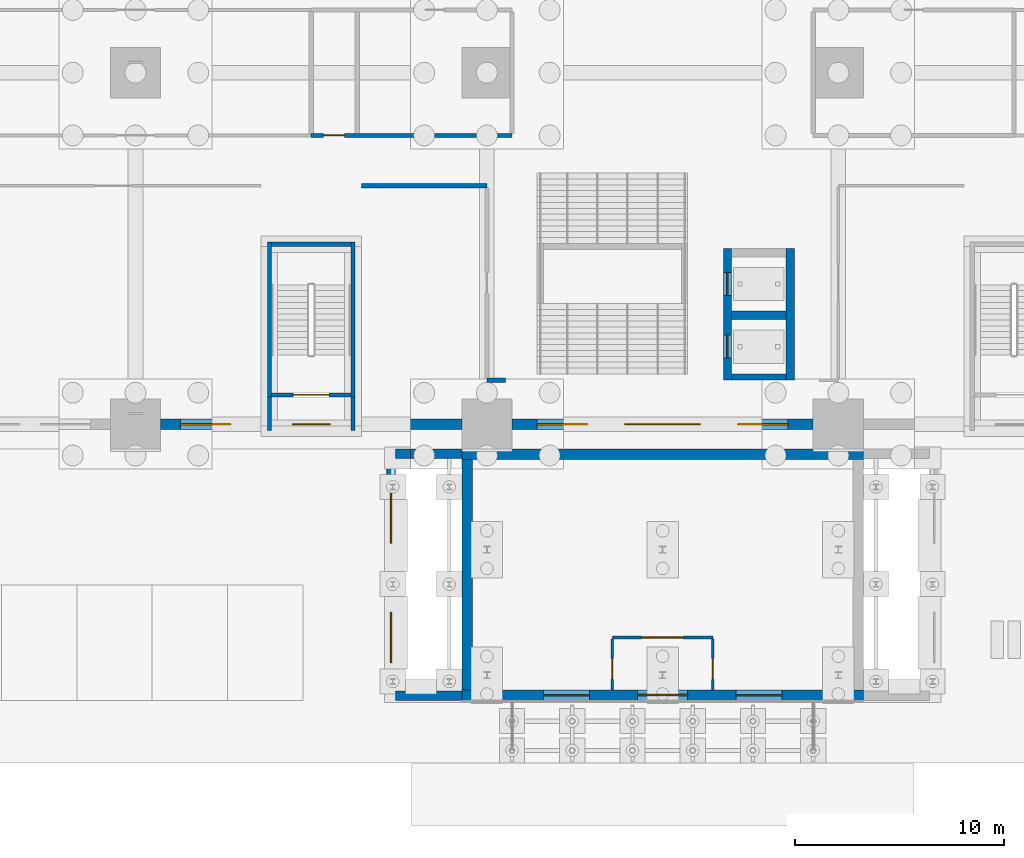
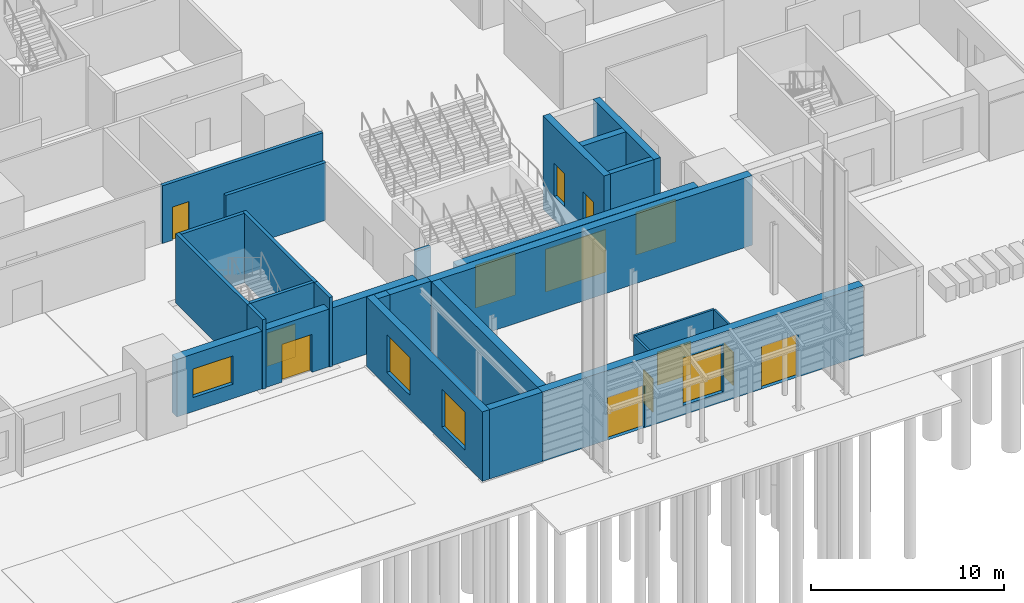
# One storey, part 81 of 139: 25 walls, 11 doors, 6 windows, 17 openings.
"""IFC4 building model written with IfcOpenShell, lengths in metres."""

from ifc_helpers import new_model, si_unit, direction, frame, frame_2d, origin, place, context, subcontext, project, spatial, rectangle, extrude, material, layer, layer_set, type_object, element, fill, save


model = new_model("IFC4")

# Units and contexts
model_context = context("Model", 3, precision=1e-05, world=origin(), true_north=direction((0.0, 1.0)))
body_context = subcontext(model_context, "Body", "Model", "MODEL_VIEW")
ifc_project = project(units=[si_unit("LENGTHUNIT", "METRE"), si_unit("AREAUNIT", "SQUARE_METRE"), si_unit("VOLUMEUNIT", "CUBIC_METRE"), si_unit("PLANEANGLEUNIT", "RADIAN"), si_unit("MASSUNIT", "GRAM", prefix="KILO")], contexts=[model_context])

# Site, building, storey
site_placement = place(None, origin())
site = spatial("IfcSite", under=ifc_project, at=site_placement, CompositionType="ELEMENT")
building_placement = place(site_placement, origin())
building = spatial("IfcBuilding", under=site, at=building_placement, Name="Verrick Yard Athletic Hall", CompositionType="ELEMENT")
storey_placement = place(building_placement, origin())
storey = spatial("IfcBuildingStorey", under=building, at=storey_placement, Name="L00", CompositionType="ELEMENT", Elevation=0.0)

# Wall, openings, doors
ifc_material_1 = material(Name="Concrete 35 MPa", Category="concrete")
ifc_layer_1 = layer(ifc_material_1, 0.39990234375)
ifc_layer_set_1 = layer_set([ifc_layer_1], Name="Core wall CR400")
wall_type_1 = type_object("IfcWallType", Name="Core wall CR400", PredefinedType="SHEAR", material=ifc_layer_set_1)
wall_1_placement = place(storey_placement, frame((101.89990234375, 21.300048828125, -1.5), z_axis=(0.0, 0.0, 1.0), x_axis=(0.0, 1.0, 0.0)))
wall_1 = element("IfcWall", 1, at=wall_1_placement, inside=storey, type_object=wall_type_1, Name="CORE-FOY-WW-L00", PredefinedType="SHEAR", context=body_context, shape_type="SweptSolid", body=[
    extrude(rectangle(XDim=6.300048828125, YDim=0.39990234375, at=frame_2d((3.14990234375, 0.0))), origin(), (0.0, 0.0, 1.0), 5.89990234375),
])
opening_1_placement = place(wall_1_placement, frame((1.050048828125, 0.0, 1.5)))
opening_1 = element("IfcOpeningElement", 2, at=opening_1_placement, cuts=wall_1, Name="Opening LD", PredefinedType="OPENING", context=body_context, shape_type="SweptSolid", body=[
    extrude(rectangle(XDim=1.10009765625, YDim=2.10009765625, at=frame_2d((0.550048828125, 1.050048828125))), frame((0.0, 0.2099609375, 0.0), z_axis=(0.0, -1.0, 0.0), x_axis=(1.0, 0.0, 0.0)), (0.0, 0.0, 1.0), 0.419921875),
])
opening_2_placement = place(wall_1_placement, frame((4.050048828125, 0.0, 1.5)))
opening_2 = element("IfcOpeningElement", 3, at=opening_2_placement, cuts=wall_1, Name="Opening LD", PredefinedType="OPENING", context=body_context, shape_type="SweptSolid", body=[
    extrude(rectangle(XDim=1.10009765625, YDim=2.10009765625, at=frame_2d((0.550048828125, 1.050048828125))), frame((0.0, 0.2099609375, 0.0), z_axis=(0.0, -1.0, 0.0), x_axis=(1.0, 0.0, 0.0)), (0.0, 0.0, 1.0), 0.419921875),
])
ifc_material_2 = material(Name="Stainless steel landing door", Category="steel")
door_type_1 = type_object("IfcDoorType", Name="Lift landing door LD 1100x2100", OperationType="NOTDEFINED", PredefinedType="DOOR", material=ifc_material_2)
door_1_placement = place(opening_1_placement, origin())
door_1 = element("IfcDoor", 4, at=door_1_placement, inside=storey, type_object=door_type_1, Name="Lift landing door", OperationType="SLIDING_TO_LEFT", OverallHeight=2.10009765625, OverallWidth=1.10009765625, PredefinedType="DOOR", context=body_context, shape_type="SweptSolid", body=[
    extrude(rectangle(XDim=1.10009765625, YDim=2.10009765625, at=frame_2d((0.550048828125, 1.050048828125))), frame((0.0, 0.02490234375, 0.0), z_axis=(0.0, -1.0, 0.0), x_axis=(1.0, 0.0, 0.0)), (0.0, 0.0, 1.0), 0.050048828125),
])
fill(opening_1, door_1)
door_2_placement = place(opening_2_placement, origin())
door_2 = element("IfcDoor", 5, at=door_2_placement, inside=storey, type_object=door_type_1, Name="Lift landing door", OperationType="SLIDING_TO_LEFT", OverallHeight=2.10009765625, OverallWidth=1.10009765625, PredefinedType="DOOR", context=body_context, shape_type="SweptSolid", body=[
    extrude(rectangle(XDim=1.10009765625, YDim=2.10009765625, at=frame_2d((0.550048828125, 1.050048828125))), frame((0.0, 0.02490234375, 0.0), z_axis=(0.0, -1.0, 0.0), x_axis=(1.0, 0.0, 0.0)), (0.0, 0.0, 1.0), 0.050048828125),
])
fill(opening_2, door_2)

# Walls
wall_2_placement = place(storey_placement, frame((104.89990234375, 21.300048828125, -1.5), z_axis=(0.0, 0.0, 1.0), x_axis=(0.0, 1.0, 0.0)))
element("IfcWall", 6, at=wall_2_placement, inside=storey, type_object=wall_type_1, Name="CORE-FOY-WE-L00", PredefinedType="SHEAR", context=body_context, shape_type="SweptSolid", body=[
    extrude(rectangle(XDim=6.300048828125, YDim=0.39990234375, at=frame_2d((3.14990234375, 0.0))), origin(), (0.0, 0.0, 1.0), 5.89990234375),
])
wall_3_placement = place(storey_placement, frame((102.10009765625, 24.39990234375, -1.5), z_axis=(0.0, 0.0, 1.0), x_axis=(1.0, 0.0, 0.0)))
element("IfcWall", 7, at=wall_3_placement, inside=storey, type_object=wall_type_1, Name="CORE-FOY-WM-L00", PredefinedType="SHEAR", context=body_context, shape_type="SweptSolid", body=[
    extrude(rectangle(XDim=2.599853515625, YDim=0.39990234375, at=frame_2d((1.2998046875, 0.0))), origin(), (0.0, 0.0, 1.0), 5.89990234375),
])
ifc_layer_2 = layer(ifc_material_1, 0.199951171875)
ifc_layer_set_2 = layer_set([ifc_layer_2], Name="Enclosure wall CR200")
wall_type_2 = type_object("IfcWallType", Name="Enclosure wall CR200", PredefinedType="SOLIDWALL", material=ifc_layer_set_2)
for number, where, z_axis, x_axis, name in (
    (8, (80.0, 20.5, 0.0), (0.0, 0.0, 1.0), (0.0, 1.0, 0.0), "CORE-PS-S2-WW-L00"),
    (9, (84.0, 20.5, 0.0), (0.0, 0.0, 1.0), (0.0, 1.0, 0.0), "CORE-PS-S2-WE-L00"),
):
    element("IfcWall", number, at=place(storey_placement, frame(where, z_axis=z_axis, x_axis=x_axis)), inside=storey, type_object=wall_type_2, Name=name, PredefinedType="SOLIDWALL", context=body_context, shape_type="SweptSolid", body=[
        extrude(rectangle(XDim=7.39990234375, YDim=0.199951171875, at=frame_2d((3.699951171875, 0.0))), origin(), (0.0, 0.0, 1.0), 4.39990234375),
    ])

# Wall, opening, door
wall_4_placement = place(storey_placement, frame((80.10009765625, 20.60009765625, 0.0), z_axis=(0.0, 0.0, 1.0), x_axis=(1.0, 0.0, 0.0)))
wall_4 = element("IfcWall", 10, at=wall_4_placement, inside=storey, type_object=wall_type_2, Name="CORE-PS-S2-WS-L00", PredefinedType="SOLIDWALL", context=body_context, shape_type="SweptSolid", body=[
    extrude(rectangle(XDim=3.7998046875, YDim=0.199951171875, at=frame_2d((1.89990234375, 0.0))), origin(), (0.0, 0.0, 1.0), 4.39990234375),
])
opening_3_placement = place(wall_4_placement, frame((1.050048828125, 0.0, 0.0)))
opening_3 = element("IfcOpeningElement", 11, at=opening_3_placement, cuts=wall_4, Name="Opening SD2", PredefinedType="OPENING", context=body_context, shape_type="SweptSolid", body=[
    extrude(rectangle(XDim=1.699951171875, YDim=2.10009765625, at=frame_2d((0.85009765625, 1.050048828125))), frame((0.0, 0.10986328125, 0.0), z_axis=(0.0, -1.0, 0.0), x_axis=(1.0, 0.0, 0.0)), (0.0, 0.0, 1.0), 0.219970703125),
])
ifc_material_3 = material(Name="Hollow metal door leaf")
door_type_2 = type_object("IfcDoorType", Name="Core door SD2 1700x2100", OperationType="NOTDEFINED", PredefinedType="DOOR", material=ifc_material_3)
door_3_placement = place(opening_3_placement, origin())
door_3 = element("IfcDoor", 12, at=door_3_placement, inside=storey, type_object=door_type_2, Name="CORE-PS-S2-WS-L00-DSD2-8200", OperationType="DOUBLE_DOOR_SINGLE_SWING", OverallHeight=2.10009765625, OverallWidth=1.699951171875, PredefinedType="DOOR", context=body_context, shape_type="SweptSolid", body=[
    extrude(rectangle(XDim=1.699951171875, YDim=2.10009765625, at=frame_2d((0.85009765625, 1.050048828125))), frame((0.0, 0.02490234375, 0.0), z_axis=(0.0, -1.0, 0.0), x_axis=(1.0, 0.0, 0.0)), (0.0, 0.0, 1.0), 0.050048828125),
])
fill(opening_3, door_3)

# Walls
wall_5_placement = place(storey_placement, frame((80.10009765625, 27.800048828125, 0.0), z_axis=(0.0, 0.0, 1.0), x_axis=(1.0, 0.0, 0.0)))
element("IfcWall", 13, at=wall_5_placement, inside=storey, type_object=wall_type_2, Name="CORE-PS-S2-WN-L00", PredefinedType="SOLIDWALL", context=body_context, shape_type="SweptSolid", body=[
    extrude(rectangle(XDim=3.7998046875, YDim=0.199951171875, at=frame_2d((1.89990234375, 0.0))), origin(), (0.0, 0.0, 1.0), 4.39990234375),
])
for number, where, z_axis, x_axis, name in (
    (14, (80.0, 18.89990234375, 0.0), (0.0, 0.0, 1.0), (0.0, 1.0, 0.0), "CORE-PS-S2-VWW"),
    (15, (84.0, 18.89990234375, 0.0), (0.0, 0.0, 1.0), (0.0, 1.0, 0.0), "CORE-PS-S2-VWE"),
):
    element("IfcWall", number, at=place(storey_placement, frame(where, z_axis=z_axis, x_axis=x_axis)), inside=storey, type_object=wall_type_2, Name=name, PredefinedType="SOLIDWALL", context=body_context, shape_type="SweptSolid", body=[
        extrude(rectangle(XDim=1.60009765625, YDim=0.199951171875, at=frame_2d((0.800048828125, 0.0))), origin(), (0.0, 0.0, 1.0), 4.39990234375),
    ])
ifc_layer_3 = layer(ifc_material_1, 0.300048828125)
ifc_layer_set_3 = layer_set([ifc_layer_3], Name="Foyer wall CR300")
wall_type_3 = type_object("IfcWallType", Name="Foyer wall CR300", PredefinedType="SOLIDWALL", material=ifc_layer_set_3)
wall_6_placement = place(storey_placement, frame((102.10009765625, 21.449951171875, -1.5), z_axis=(0.0, 0.0, 1.0), x_axis=(1.0, 0.0, 0.0)))
element("IfcWall", 16, at=wall_6_placement, inside=storey, type_object=wall_type_3, Name="CORE-FOY-WS-L00", PredefinedType="SOLIDWALL", context=body_context, shape_type="SweptSolid", body=[
    extrude(rectangle(XDim=2.599853515625, YDim=0.300048828125, at=frame_2d((1.2998046875, 0.0))), origin(), (0.0, 0.0, 1.0), 5.89990234375),
])

# Wall, openings, windows
ifc_material_4 = material(Name="Tyndall-stone-look precast cladding", Category="masonry")
ifc_layer_4 = layer(ifc_material_4, 0.0625, Name="Tyndall-stone-look precast cladding")
ifc_material_5 = material(Name="Mineral wool insulation")
ifc_layer_5 = layer(ifc_material_5, 0.125, Name="Mineral wool insulation")
ifc_layer_6 = layer(ifc_material_1, 0.25, Name="Concrete 35 MPa")
ifc_layer_set_4 = layer_set([ifc_layer_4, ifc_layer_5, ifc_layer_6], Name="Lean-to wall")
wall_type_4 = type_object("IfcWallType", Name="Lean-to wall", PredefinedType="SOLIDWALL", material=ifc_layer_set_4)
wall_7_placement = place(storey_placement, frame((85.81884765625, 6.0, 0.0), z_axis=(0.0, 0.0, 1.0), x_axis=(0.0, 1.0, 0.0)))
wall_7 = element("IfcWall", 17, at=wall_7_placement, inside=storey, type_object=wall_type_4, Name="ENVB-LT-W-OUT", PredefinedType="SOLIDWALL", context=body_context, shape_type="SweptSolid", body=[
    extrude(rectangle(XDim=12.0, YDim=0.4375, at=frame_2d((6.0, 0.0))), origin(), (0.0, 0.0, 1.0), 4.39990234375),
])
opening_4_placement = place(wall_7_placement, frame((1.800048828125, 0.0, 0.89990234375)))
opening_4 = element("IfcOpeningElement", 18, at=opening_4_placement, cuts=wall_7, Name="Opening W32", PredefinedType="OPENING", context=body_context, shape_type="SweptSolid", body=[
    extrude(rectangle(XDim=2.39990234375, YDim=2.39990234375, at=frame_2d((1.199951171875, 1.199951171875))), frame((0.0, 0.228759765625, 0.0), z_axis=(0.0, -1.0, 0.0), x_axis=(1.0, 0.0, 0.0)), (0.0, 0.0, 1.0), 0.45751953125),
])
opening_5_placement = place(wall_7_placement, frame((7.5, 0.0, 0.89990234375)))
opening_5 = element("IfcOpeningElement", 19, at=opening_5_placement, cuts=wall_7, Name="Opening W32", PredefinedType="OPENING", context=body_context, shape_type="SweptSolid", body=[
    extrude(rectangle(XDim=2.39990234375, YDim=2.39990234375, at=frame_2d((1.199951171875, 1.199951171875))), frame((0.0, 0.228759765625, 0.0), z_axis=(0.0, -1.0, 0.0), x_axis=(1.0, 0.0, 0.0)), (0.0, 0.0, 1.0), 0.45751953125),
])
ifc_material_6 = material(Name="Anodised aluminium frame with insulated glazing", Category="aluminium")
window_type_1 = type_object("IfcWindowType", Name="Lean-to window 2400x2400", PartitioningType="NOTDEFINED", PredefinedType="WINDOW", material=ifc_material_6)
window_1_placement = place(opening_4_placement, origin())
window_1 = element("IfcWindow", 20, at=window_1_placement, inside=storey, type_object=window_type_1, Name="ENVB-LT-W-W1", OverallHeight=2.39990234375, OverallWidth=2.39990234375, PartitioningType="SINGLE_PANEL", PredefinedType="WINDOW", context=body_context, shape_type="SweptSolid", body=[
    extrude(rectangle(XDim=2.39990234375, YDim=2.39990234375, at=frame_2d((1.199951171875, 1.199951171875))), frame((0.0, 0.030029296875, 0.0), z_axis=(0.0, -1.0, 0.0), x_axis=(1.0, 0.0, 0.0)), (0.0, 0.0, 1.0), 0.06005859375),
])
fill(opening_4, window_1)
window_2_placement = place(opening_5_placement, origin())
window_2 = element("IfcWindow", 21, at=window_2_placement, inside=storey, type_object=window_type_1, Name="ENVB-LT-W-W2", OverallHeight=2.39990234375, OverallWidth=2.39990234375, PartitioningType="SINGLE_PANEL", PredefinedType="WINDOW", context=body_context, shape_type="SweptSolid", body=[
    extrude(rectangle(XDim=2.39990234375, YDim=2.39990234375, at=frame_2d((1.199951171875, 1.199951171875))), frame((0.0, 0.030029296875, 0.0), z_axis=(0.0, -1.0, 0.0), x_axis=(1.0, 0.0, 0.0)), (0.0, 0.0, 1.0), 0.06005859375),
])
fill(opening_5, window_2)

# Walls
wall_8_placement = place(storey_placement, frame((86.03759765625, 6.21875, 0.0), z_axis=(0.0, 0.0, 1.0), x_axis=(1.0, 0.0, 0.0)))
element("IfcWall", 22, at=wall_8_placement, inside=storey, type_object=wall_type_4, Name="ENVB-LT-W-S", PredefinedType="SOLIDWALL", context=body_context, shape_type="SweptSolid", body=[
    extrude(rectangle(XDim=3.162353515625, YDim=0.4375, at=frame_2d((1.5810546875, 0.0))), origin(), (0.0, 0.0, 1.0), 4.39990234375),
])
wall_9_placement = place(storey_placement, frame((86.03759765625, 17.78125, 0.0), z_axis=(0.0, 0.0, 1.0), x_axis=(1.0, 0.0, 0.0)))
element("IfcWall", 23, at=wall_9_placement, inside=storey, type_object=wall_type_4, Name="ENVB-LT-W-N-1", PredefinedType="SOLIDWALL", context=body_context, shape_type="SweptSolid", body=[
    extrude(rectangle(XDim=0.71240234375, YDim=0.4375, at=frame_2d((0.356201171875, 0.0))), origin(), (0.0, 0.0, 1.0), 4.39990234375),
])
wall_10_placement = place(storey_placement, frame((86.75, 17.78125, -0.89990234375), z_axis=(0.0, 0.0, 1.0), x_axis=(1.0, 0.0, 0.0)))
element("IfcWall", 24, at=wall_10_placement, inside=storey, type_object=wall_type_4, Name="ENVB-LT-W-N-2", PredefinedType="SOLIDWALL", context=body_context, shape_type="SweptSolid", body=[
    extrude(rectangle(XDim=2.449951171875, YDim=0.4375, at=frame_2d((1.22509765625, 0.0))), origin(), (0.0, 0.0, 1.0), 5.2998046875),
])

# Wall, opening, door
ifc_material_7 = material(Name="Concrete masonry block 15 MPa", Category="masonry")
ifc_layer_7 = layer(ifc_material_7, 0.199951171875)
ifc_layer_set_5 = layer_set([ifc_layer_7], Name="PW1 Block partition 200")
wall_type_5 = type_object("IfcWallType", Name="PW1 Block partition 200", PredefinedType="PARTITIONING", material=ifc_layer_set_5)
wall_11_placement = place(storey_placement, frame((82.0, 33.0, 0.0), z_axis=(0.0, 0.0, 1.0), x_axis=(1.0, 0.0, 0.0)))
wall_11 = element("IfcWall", 25, at=wall_11_placement, inside=storey, type_object=wall_type_5, Name="Partition PW1", PredefinedType="PARTITIONING", context=body_context, shape_type="SweptSolid", body=[
    extrude(rectangle(XDim=9.60009765625, YDim=0.199951171875, at=frame_2d((4.800048828125, 0.0))), origin(), (0.0, 0.0, 1.0), 3.64990234375),
])
opening_6_placement = place(wall_11_placement, frame((0.60009765625, 0.0, 0.0)))
opening_6 = element("IfcOpeningElement", 26, at=opening_6_placement, cuts=wall_11, Name="Opening D1", PredefinedType="OPENING", context=body_context, shape_type="SweptSolid", body=[
    extrude(rectangle(XDim=1.0, YDim=2.10009765625, at=frame_2d((0.5, 1.050048828125))), frame((0.0, 0.10986328125, 0.0), z_axis=(0.0, -1.0, 0.0), x_axis=(1.0, 0.0, 0.0)), (0.0, 0.0, 1.0), 0.219970703125),
])
ifc_material_8 = material(Name="Timber door leaf in steel frame", Category="steel")
door_type_3 = type_object("IfcDoorType", Name="D1 Single door 1000 x 2100", OperationType="NOTDEFINED", PredefinedType="DOOR", material=ifc_material_8)
door_4_placement = place(opening_6_placement, origin())
door_4 = element("IfcDoor", 27, at=door_4_placement, inside=storey, type_object=door_type_3, Name="D1 Accessible WC", OperationType="SINGLE_SWING_LEFT", OverallHeight=2.10009765625, OverallWidth=1.0, PredefinedType="DOOR", context=body_context, shape_type="SweptSolid", body=[
    extrude(rectangle(XDim=1.0, YDim=2.10009765625, at=frame_2d((0.5, 1.050048828125))), frame((0.0, 0.02490234375, 0.0), z_axis=(0.0, -1.0, 0.0), x_axis=(1.0, 0.0, 0.0)), (0.0, 0.0, 1.0), 0.050048828125),
])
fill(opening_6, door_4)

ifc_material_9 = material(Name="Gypsum plasterboard on light-gauge studs")
ifc_layer_8 = layer(ifc_material_9, 0.125)
ifc_layer_set_6 = layer_set([ifc_layer_8], Name="PW2 Stud partition 125")
wall_type_6 = type_object("IfcWallType", Name="PW2 Stud partition 125", PredefinedType="PARTITIONING", material=ifc_layer_set_6)
wall_12_placement = place(storey_placement, frame((96.39990234375, 9.0, 0.0), z_axis=(0.0, 0.0, 1.0), x_axis=(1.0, 0.0, 0.0)))
wall_12 = element("IfcWall", 28, at=wall_12_placement, inside=storey, type_object=wall_type_6, Name="Partition PW2", PredefinedType="PARTITIONING", context=body_context, shape_type="SweptSolid", body=[
    extrude(rectangle(XDim=4.800048828125, YDim=0.125, at=frame_2d((2.39990234375, 0.0))), origin(), (0.0, 0.0, 1.0), 3.64990234375),
])
opening_7_placement = place(wall_12_placement, frame((1.39990234375, 0.0, 0.0)))
opening_7 = element("IfcOpeningElement", 29, at=opening_7_placement, cuts=wall_12, Name="Opening D4", PredefinedType="OPENING", context=body_context, shape_type="SweptSolid", body=[
    extrude(rectangle(XDim=2.0, YDim=2.10009765625, at=frame_2d((1.0, 1.050048828125))), frame((0.0, 0.072509765625, 0.0), z_axis=(0.0, -1.0, 0.0), x_axis=(1.0, 0.0, 0.0)), (0.0, 0.0, 1.0), 0.14501953125),
])
door_type_4 = type_object("IfcDoorType", Name="D4 Double door 2000 x 2100", OperationType="NOTDEFINED", PredefinedType="DOOR", material=ifc_material_8)
door_5_placement = place(opening_7_placement, origin())
door_5 = element("IfcDoor", 30, at=door_5_placement, inside=storey, type_object=door_type_4, Name="D4 Entrance Foyer", OperationType="DOUBLE_DOOR_SINGLE_SWING", OverallHeight=2.10009765625, OverallWidth=2.0, PredefinedType="DOOR", context=body_context, shape_type="SweptSolid", body=[
    extrude(rectangle(XDim=2.0, YDim=2.10009765625, at=frame_2d((1.0, 1.050048828125))), frame((0.0, 0.02490234375, 0.0), z_axis=(0.0, -1.0, 0.0), x_axis=(1.0, 0.0, 0.0)), (0.0, 0.0, 1.0), 0.050048828125),
])
fill(opening_7, door_5)

wall_13_placement = place(storey_placement, frame((96.39990234375, 6.489990234375, 0.0), z_axis=(0.0, 0.0, 1.0), x_axis=(0.0, 1.0, 0.0)))
wall_13 = element("IfcWall", 31, at=wall_13_placement, inside=storey, type_object=wall_type_6, Name="Partition PW2", PredefinedType="PARTITIONING", context=body_context, shape_type="SweptSolid", body=[
    extrude(rectangle(XDim=2.447509765625, YDim=0.125, at=frame_2d((1.2236328125, 0.0))), origin(), (0.0, 0.0, 1.0), 3.64990234375),
])
opening_8_placement = place(wall_13_placement, frame((0.510009765625, 0.0, 0.0)))
opening_8 = element("IfcOpeningElement", 32, at=opening_8_placement, cuts=wall_13, Name="Opening D1", PredefinedType="OPENING", context=body_context, shape_type="SweptSolid", body=[
    extrude(rectangle(XDim=1.0, YDim=2.10009765625, at=frame_2d((0.5, 1.050048828125))), frame((0.0, 0.072509765625, 0.0), z_axis=(0.0, -1.0, 0.0), x_axis=(1.0, 0.0, 0.0)), (0.0, 0.0, 1.0), 0.14501953125),
])
door_6_placement = place(opening_8_placement, origin())
door_6 = element("IfcDoor", 33, at=door_6_placement, inside=storey, type_object=door_type_3, Name="D1 Ticketing", OperationType="SINGLE_SWING_LEFT", OverallHeight=2.10009765625, OverallWidth=1.0, PredefinedType="DOOR", context=body_context, shape_type="SweptSolid", body=[
    extrude(rectangle(XDim=1.0, YDim=2.10009765625, at=frame_2d((0.5, 1.050048828125))), frame((0.0, 0.02490234375, 0.0), z_axis=(0.0, -1.0, 0.0), x_axis=(1.0, 0.0, 0.0)), (0.0, 0.0, 1.0), 0.050048828125),
])
fill(opening_8, door_6)

wall_14_placement = place(storey_placement, frame((101.199951171875, 6.489990234375, 0.0), z_axis=(0.0, 0.0, 1.0), x_axis=(0.0, 1.0, 0.0)))
wall_14 = element("IfcWall", 34, at=wall_14_placement, inside=storey, type_object=wall_type_6, Name="Partition PW2", PredefinedType="PARTITIONING", context=body_context, shape_type="SweptSolid", body=[
    extrude(rectangle(XDim=2.447509765625, YDim=0.125, at=frame_2d((1.2236328125, 0.0))), origin(), (0.0, 0.0, 1.0), 3.64990234375),
])
opening_9_placement = place(wall_14_placement, frame((0.510009765625, 0.0, 0.0)))
opening_9 = element("IfcOpeningElement", 35, at=opening_9_placement, cuts=wall_14, Name="Opening D1", PredefinedType="OPENING", context=body_context, shape_type="SweptSolid", body=[
    extrude(rectangle(XDim=1.0, YDim=2.10009765625, at=frame_2d((0.5, 1.050048828125))), frame((0.0, 0.072509765625, 0.0), z_axis=(0.0, -1.0, 0.0), x_axis=(1.0, 0.0, 0.0)), (0.0, 0.0, 1.0), 0.14501953125),
])
door_7_placement = place(opening_9_placement, origin())
door_7 = element("IfcDoor", 36, at=door_7_placement, inside=storey, type_object=door_type_3, Name="D1 Shop", OperationType="SINGLE_SWING_LEFT", OverallHeight=2.10009765625, OverallWidth=1.0, PredefinedType="DOOR", context=body_context, shape_type="SweptSolid", body=[
    extrude(rectangle(XDim=1.0, YDim=2.10009765625, at=frame_2d((0.5, 1.050048828125))), frame((0.0, 0.02490234375, 0.0), z_axis=(0.0, -1.0, 0.0), x_axis=(1.0, 0.0, 0.0)), (0.0, 0.0, 1.0), 0.050048828125),
])
fill(opening_9, door_7)

# Walls
ifc_layer_9 = layer(ifc_material_7, 0.199951171875)
ifc_layer_set_7 = layer_set([ifc_layer_9], Name="PW3 Fire-rated block partition 200")
wall_type_7 = type_object("IfcWallType", Name="PW3 Fire-rated block partition 200", PredefinedType="PARTITIONING", material=ifc_layer_set_7)
wall_15_placement = place(storey_placement, frame((90.39990234375, 21.300048828125, 0.0), z_axis=(0.0, 0.0, 1.0), x_axis=(1.0, 0.0, 0.0)))
element("IfcWall", 37, at=wall_15_placement, inside=storey, type_object=wall_type_7, Name="Partition PW3", PredefinedType="PARTITIONING", context=body_context, shape_type="SweptSolid", body=[
    extrude(rectangle(XDim=0.900146484375, YDim=0.199951171875, at=frame_2d((0.4501953125, 0.0))), origin(), (0.0, 0.0, 1.0), 3.64990234375),
])
wall_16_placement = place(storey_placement, frame((84.39990234375, 30.60009765625, 0.0), z_axis=(0.0, 0.0, 1.0), x_axis=(1.0, 0.0, 0.0)))
element("IfcWall", 38, at=wall_16_placement, inside=storey, type_object=wall_type_7, Name="Partition PW3", PredefinedType="PARTITIONING", context=body_context, shape_type="SweptSolid", body=[
    extrude(rectangle(XDim=6.0, YDim=0.199951171875, at=frame_2d((3.0, 0.0))), origin(), (0.0, 0.0, 1.0), 3.64990234375),
])
ifc_layer_10 = layer(ifc_material_4, 0.125, Name="Tyndall-stone-look precast cladding")
ifc_layer_11 = layer(ifc_material_5, 0.125, Name="Mineral wool insulation")
ifc_layer_12 = layer(ifc_material_1, 0.25, Name="Concrete 35 MPa")
ifc_layer_set_8 = layer_set([ifc_layer_10, ifc_layer_11, ifc_layer_12], Name="Pavilion internal wall")
wall_type_8 = type_object("IfcWallType", Name="Pavilion internal wall", PredefinedType="SOLIDWALL", material=ifc_layer_set_8)
wall_17_placement = place(storey_placement, frame((89.449951171875, 6.5, 0.0), z_axis=(0.0, 0.0, 1.0), x_axis=(0.0, 1.0, 0.0)))
element("IfcWall", 39, at=wall_17_placement, inside=storey, type_object=wall_type_8, Name="ENVB-FY-W-L00", PredefinedType="SOLIDWALL", context=body_context, shape_type="SweptSolid", body=[
    extrude(rectangle(XDim=11.0, YDim=0.5, at=frame_2d((5.5, 0.0))), origin(), (0.0, 0.0, 1.0), 4.39990234375),
])
wall_18_placement = place(storey_placement, frame((89.199951171875, 17.75, 0.0), z_axis=(0.0, 0.0, 1.0), x_axis=(1.0, 0.0, 0.0)))
element("IfcWall", 40, at=wall_18_placement, inside=storey, type_object=wall_type_8, Name="ENVB-FY-N-L00", PredefinedType="SOLIDWALL", context=body_context, shape_type="SweptSolid", body=[
    extrude(rectangle(XDim=19.199951171875, YDim=0.5, at=frame_2d((9.60009765625, 0.0))), origin(), (0.0, 0.0, 1.0), 4.39990234375),
])

# Wall, openings, doors, window
ifc_layer_13 = layer(ifc_material_4, 0.125, Name="Tyndall-stone-look precast cladding")
ifc_layer_14 = layer(ifc_material_5, 0.125, Name="Mineral wool insulation")
ifc_layer_15 = layer(ifc_material_1, 0.25, Name="Concrete 35 MPa")
ifc_layer_set_9 = layer_set([ifc_layer_13, ifc_layer_14, ifc_layer_15], Name="Pavilion wall")
wall_type_9 = type_object("IfcWallType", Name="Pavilion wall", PredefinedType="SOLIDWALL", material=ifc_layer_set_9)
wall_19_placement = place(storey_placement, frame((89.199951171875, 6.25, 0.0), z_axis=(0.0, 0.0, 1.0), x_axis=(1.0, 0.0, 0.0)))
wall_19 = element("IfcWall", 41, at=wall_19_placement, inside=storey, type_object=wall_type_9, Name="ENVB-FY-S-L00", PredefinedType="SOLIDWALL", context=body_context, shape_type="SweptSolid", body=[
    extrude(rectangle(XDim=19.199951171875, YDim=0.5, at=frame_2d((9.60009765625, 0.0))), origin(), (0.0, 0.0, 1.0), 4.39990234375),
])
opening_10_placement = place(wall_19_placement, frame((3.89990234375, 0.0, 0.0)))
opening_10 = element("IfcOpeningElement", 42, at=opening_10_placement, cuts=wall_19, Name="Opening ED24", PredefinedType="OPENING", context=body_context, shape_type="SweptSolid", body=[
    extrude(rectangle(XDim=2.199951171875, YDim=2.699951171875, at=frame_2d((1.10009765625, 1.35009765625))), frame((0.0, 0.260009765625, 0.0), z_axis=(0.0, -1.0, 0.0), x_axis=(1.0, 0.0, 0.0)), (0.0, 0.0, 1.0), 0.52001953125),
])
opening_11_placement = place(wall_19_placement, frame((13.10009765625, 0.0, 0.0)))
opening_11 = element("IfcOpeningElement", 43, at=opening_11_placement, cuts=wall_19, Name="Opening ED24", PredefinedType="OPENING", context=body_context, shape_type="SweptSolid", body=[
    extrude(rectangle(XDim=2.199951171875, YDim=2.699951171875, at=frame_2d((1.10009765625, 1.35009765625))), frame((0.0, 0.260009765625, 0.0), z_axis=(0.0, -1.0, 0.0), x_axis=(1.0, 0.0, 0.0)), (0.0, 0.0, 1.0), 0.52001953125),
])
opening_12_placement = place(wall_19_placement, frame((8.39990234375, 0.0, 0.60009765625)))
opening_12 = element("IfcOpeningElement", 44, at=opening_12_placement, cuts=wall_19, Name="Opening W31", PredefinedType="OPENING", context=body_context, shape_type="SweptSolid", body=[
    extrude(rectangle(XDim=2.39990234375, YDim=3.0, at=frame_2d((1.199951171875, 1.5))), frame((0.0, 0.260009765625, 0.0), z_axis=(0.0, -1.0, 0.0), x_axis=(1.0, 0.0, 0.0)), (0.0, 0.0, 1.0), 0.52001953125),
])
ifc_material_10 = material(Name="Anodised aluminium glazed door leaf", Category="aluminium")
door_type_5 = type_object("IfcDoorType", Name="Exterior entrance door 2200", OperationType="NOTDEFINED", PredefinedType="DOOR", material=ifc_material_10)
door_8_placement = place(opening_10_placement, origin())
door_8 = element("IfcDoor", 45, at=door_8_placement, inside=storey, type_object=door_type_5, Name="Main entrance E1 west door", OperationType="DOUBLE_DOOR_SINGLE_SWING", OverallHeight=2.699951171875, OverallWidth=2.199951171875, PredefinedType="DOOR", context=body_context, shape_type="SweptSolid", body=[
    extrude(rectangle(XDim=2.199951171875, YDim=2.699951171875, at=frame_2d((1.10009765625, 1.35009765625))), frame((0.0, 0.02490234375, 0.0), z_axis=(0.0, -1.0, 0.0), x_axis=(1.0, 0.0, 0.0)), (0.0, 0.0, 1.0), 0.050048828125),
])
fill(opening_10, door_8)
door_9_placement = place(opening_11_placement, origin())
door_9 = element("IfcDoor", 46, at=door_9_placement, inside=storey, type_object=door_type_5, Name="Main entrance E1 east door", OperationType="DOUBLE_DOOR_SINGLE_SWING", OverallHeight=2.699951171875, OverallWidth=2.199951171875, PredefinedType="DOOR", context=body_context, shape_type="SweptSolid", body=[
    extrude(rectangle(XDim=2.199951171875, YDim=2.699951171875, at=frame_2d((1.10009765625, 1.35009765625))), frame((0.0, 0.02490234375, 0.0), z_axis=(0.0, -1.0, 0.0), x_axis=(1.0, 0.0, 0.0)), (0.0, 0.0, 1.0), 0.050048828125),
])
fill(opening_11, door_9)
window_type_2 = type_object("IfcWindowType", Name="Foyer window 2400x3000", PartitioningType="NOTDEFINED", PredefinedType="WINDOW", material=ifc_material_6)
window_3_placement = place(opening_12_placement, origin())
window_3 = element("IfcWindow", 47, at=window_3_placement, inside=storey, type_object=window_type_2, Name="ENVB-FY-S-L00-W1", OverallHeight=3.0, OverallWidth=2.39990234375, PartitioningType="SINGLE_PANEL", PredefinedType="WINDOW", context=body_context, shape_type="SweptSolid", body=[
    extrude(rectangle(XDim=2.39990234375, YDim=3.0, at=frame_2d((1.199951171875, 1.5))), frame((0.0, 0.030029296875, 0.0), z_axis=(0.0, -1.0, 0.0), x_axis=(1.0, 0.0, 0.0)), (0.0, 0.0, 1.0), 0.06005859375),
])
fill(opening_12, window_3)

# Wall, openings, door, window
ifc_material_11 = material(Name="Rusticated limestone cladding", Category="masonry")
ifc_layer_16 = layer(ifc_material_11, 0.10009765625, Name="Rusticated limestone cladding")
ifc_layer_17 = layer(ifc_material_5, 0.10009765625, Name="Mineral wool insulation")
ifc_layer_18 = layer(ifc_material_1, 0.300048828125, Name="Concrete 35 MPa")
ifc_layer_set_10 = layer_set([ifc_layer_16, ifc_layer_17, ifc_layer_18], Name="Rusticated base wall 500")
wall_type_10 = type_object("IfcWallType", Name="Rusticated base wall 500", PredefinedType="SOLIDWALL", material=ifc_layer_set_10)
wall_20_placement = place(storey_placement, frame((74.800048828125, 19.199951171875, 0.0), z_axis=(0.0, 0.0, 1.0), x_axis=(1.0, 0.0, 0.0)))
wall_20 = element("IfcWall", 48, at=wall_20_placement, inside=storey, type_object=wall_type_10, Name="Base wall S3", PredefinedType="SOLIDWALL", context=body_context, shape_type="SweptSolid", body=[
    extrude(rectangle(XDim=14.39990234375, YDim=0.5, at=frame_2d((7.199951171875, 0.0))), origin(), (0.0, 0.0, 1.0), 3.64990234375),
])
opening_13_placement = place(wall_20_placement, frame((0.9599609375, 0.0, 0.89990234375)))
opening_13 = element("IfcOpeningElement", 49, at=opening_13_placement, cuts=wall_20, Name="Opening W1", PredefinedType="OPENING", context=body_context, shape_type="SweptSolid", body=[
    extrude(rectangle(XDim=2.39990234375, YDim=1.800048828125, at=frame_2d((1.199951171875, 0.89990234375))), frame((0.0, 0.260009765625, 0.0), z_axis=(0.0, -1.0, 0.0), x_axis=(1.0, 0.0, 0.0)), (0.0, 0.0, 1.0), 0.52001953125),
])
opening_14_placement = place(wall_20_placement, frame((6.300048828125, 0.0, 0.0)))
opening_14 = element("IfcOpeningElement", 50, at=opening_14_placement, cuts=wall_20, Name="Opening ED5", PredefinedType="OPENING", context=body_context, shape_type="SweptSolid", body=[
    extrude(rectangle(XDim=1.800048828125, YDim=2.39990234375, at=frame_2d((0.89990234375, 1.199951171875))), frame((0.0, 0.260009765625, 0.0), z_axis=(0.0, -1.0, 0.0), x_axis=(1.0, 0.0, 0.0)), (0.0, 0.0, 1.0), 0.52001953125),
])
ifc_material_12 = material(Name="Insulated steel door", Category="steel")
door_type_6 = type_object("IfcDoorType", Name="Exit door pair 1800 x 2400", OperationType="NOTDEFINED", PredefinedType="DOOR", material=ifc_material_12)
door_10_placement = place(opening_14_placement, origin())
door_10 = element("IfcDoor", 51, at=door_10_placement, inside=storey, type_object=door_type_6, Name="Exterior door E12", OperationType="DOUBLE_DOOR_SINGLE_SWING", OverallHeight=2.39990234375, OverallWidth=1.800048828125, PredefinedType="DOOR", context=body_context, shape_type="SweptSolid", body=[
    extrude(rectangle(XDim=1.800048828125, YDim=2.39990234375, at=frame_2d((0.89990234375, 1.199951171875))), frame((0.0, 0.02490234375, 0.0), z_axis=(0.0, -1.0, 0.0), x_axis=(1.0, 0.0, 0.0)), (0.0, 0.0, 1.0), 0.050048828125),
])
fill(opening_14, door_10)
ifc_material_13 = material(Name="Aluminium frame with double glazing", Category="aluminium")
window_type_3 = type_object("IfcWindowType", Name="Window 2400 x 1800", PartitioningType="NOTDEFINED", PredefinedType="WINDOW", material=ifc_material_13)
window_4_placement = place(opening_13_placement, origin())
window_4 = element("IfcWindow", 52, at=window_4_placement, inside=storey, type_object=window_type_3, Name="Window S3.1", OverallHeight=1.800048828125, OverallWidth=2.39990234375, PartitioningType="SINGLE_PANEL", PredefinedType="WINDOW", context=body_context, shape_type="SweptSolid", body=[
    extrude(rectangle(XDim=2.39990234375, YDim=1.800048828125, at=frame_2d((1.199951171875, 0.89990234375))), frame((0.0, 0.030029296875, 0.0), z_axis=(0.0, -1.0, 0.0), x_axis=(1.0, 0.0, 0.0)), (0.0, 0.0, 1.0), 0.06005859375),
])
fill(opening_13, window_4)

# Wall, openings, door, windows
wall_21_placement = place(storey_placement, frame((91.60009765625, 19.199951171875, 0.0), z_axis=(0.0, 0.0, 1.0), x_axis=(1.0, 0.0, 0.0)))
wall_21 = element("IfcWall", 53, at=wall_21_placement, inside=storey, type_object=wall_type_10, Name="Base wall S4", PredefinedType="SOLIDWALL", context=body_context, shape_type="SweptSolid", body=[
    extrude(rectangle(XDim=14.39990234375, YDim=0.5, at=frame_2d((7.199951171875, 0.0))), origin(), (0.0, 0.0, 1.0), 3.64990234375),
])
opening_15_placement = place(wall_21_placement, frame((1.199951171875, 0.0, 0.449951171875)))
opening_15 = element("IfcOpeningElement", 54, at=opening_15_placement, cuts=wall_21, Name="Opening W2", PredefinedType="OPENING", context=body_context, shape_type="SweptSolid", body=[
    extrude(rectangle(XDim=2.39990234375, YDim=2.699951171875, at=frame_2d((1.199951171875, 1.35009765625))), frame((0.0, 0.260009765625, 0.0), z_axis=(0.0, -1.0, 0.0), x_axis=(1.0, 0.0, 0.0)), (0.0, 0.0, 1.0), 0.52001953125),
])
opening_16_placement = place(wall_21_placement, frame((10.800048828125, 0.0, 0.449951171875)))
opening_16 = element("IfcOpeningElement", 55, at=opening_16_placement, cuts=wall_21, Name="Opening W2", PredefinedType="OPENING", context=body_context, shape_type="SweptSolid", body=[
    extrude(rectangle(XDim=2.39990234375, YDim=2.699951171875, at=frame_2d((1.199951171875, 1.35009765625))), frame((0.0, 0.260009765625, 0.0), z_axis=(0.0, -1.0, 0.0), x_axis=(1.0, 0.0, 0.0)), (0.0, 0.0, 1.0), 0.52001953125),
])
opening_17_placement = place(wall_21_placement, frame((5.39990234375, 0.0, 0.0)))
opening_17 = element("IfcOpeningElement", 56, at=opening_17_placement, cuts=wall_21, Name="Opening ED1", PredefinedType="OPENING", context=body_context, shape_type="SweptSolid", body=[
    extrude(rectangle(XDim=3.60009765625, YDim=2.699951171875, at=frame_2d((1.800048828125, 1.35009765625))), frame((0.0, 0.260009765625, 0.0), z_axis=(0.0, -1.0, 0.0), x_axis=(1.0, 0.0, 0.0)), (0.0, 0.0, 1.0), 0.52001953125),
])
door_type_7 = type_object("IfcDoorType", Name="Entrance door pair 3600 x 2700", OperationType="NOTDEFINED", PredefinedType="DOOR", material=ifc_material_13)
door_11_placement = place(opening_17_placement, origin())
door_11 = element("IfcDoor", 57, at=door_11_placement, inside=storey, type_object=door_type_7, Name="Exterior door E2", OperationType="DOUBLE_DOOR_SINGLE_SWING", OverallHeight=2.699951171875, OverallWidth=3.60009765625, PredefinedType="DOOR", context=body_context, shape_type="SweptSolid", body=[
    extrude(rectangle(XDim=3.60009765625, YDim=2.699951171875, at=frame_2d((1.800048828125, 1.35009765625))), frame((0.0, 0.02490234375, 0.0), z_axis=(0.0, -1.0, 0.0), x_axis=(1.0, 0.0, 0.0)), (0.0, 0.0, 1.0), 0.050048828125),
])
fill(opening_17, door_11)
window_type_4 = type_object("IfcWindowType", Name="Window 2400 x 2700", PartitioningType="NOTDEFINED", PredefinedType="WINDOW", material=ifc_material_13)
window_5_placement = place(opening_15_placement, origin())
window_5 = element("IfcWindow", 58, at=window_5_placement, inside=storey, type_object=window_type_4, Name="Window S4.1", OverallHeight=2.699951171875, OverallWidth=2.39990234375, PartitioningType="SINGLE_PANEL", PredefinedType="WINDOW", context=body_context, shape_type="SweptSolid", body=[
    extrude(rectangle(XDim=2.39990234375, YDim=2.699951171875, at=frame_2d((1.199951171875, 1.35009765625))), frame((0.0, 0.030029296875, 0.0), z_axis=(0.0, -1.0, 0.0), x_axis=(1.0, 0.0, 0.0)), (0.0, 0.0, 1.0), 0.06005859375),
])
fill(opening_15, window_5)
window_6_placement = place(opening_16_placement, origin())
window_6 = element("IfcWindow", 59, at=window_6_placement, inside=storey, type_object=window_type_4, Name="Window S4.2", OverallHeight=2.699951171875, OverallWidth=2.39990234375, PartitioningType="SINGLE_PANEL", PredefinedType="WINDOW", context=body_context, shape_type="SweptSolid", body=[
    extrude(rectangle(XDim=2.39990234375, YDim=2.699951171875, at=frame_2d((1.199951171875, 1.35009765625))), frame((0.0, 0.030029296875, 0.0), z_axis=(0.0, -1.0, 0.0), x_axis=(1.0, 0.0, 0.0)), (0.0, 0.0, 1.0), 0.06005859375),
])
fill(opening_16, window_6)

save(model, "model.ifc")
